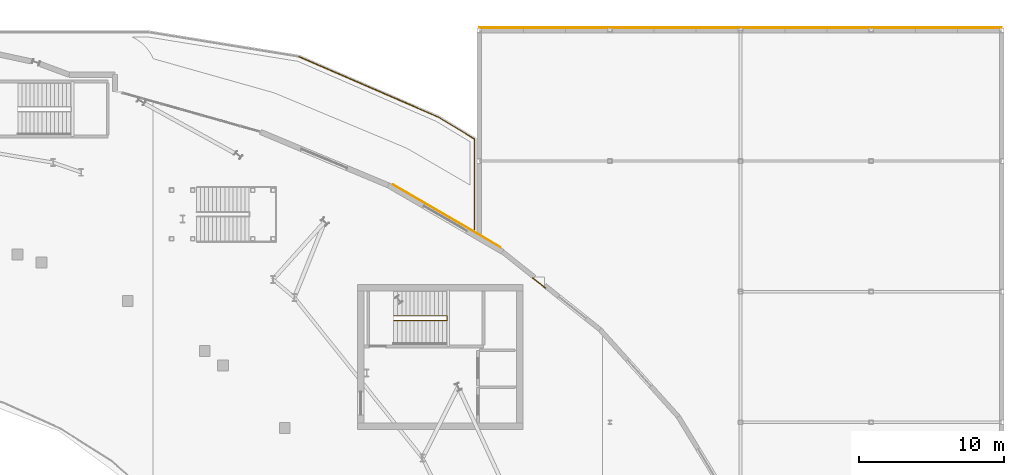
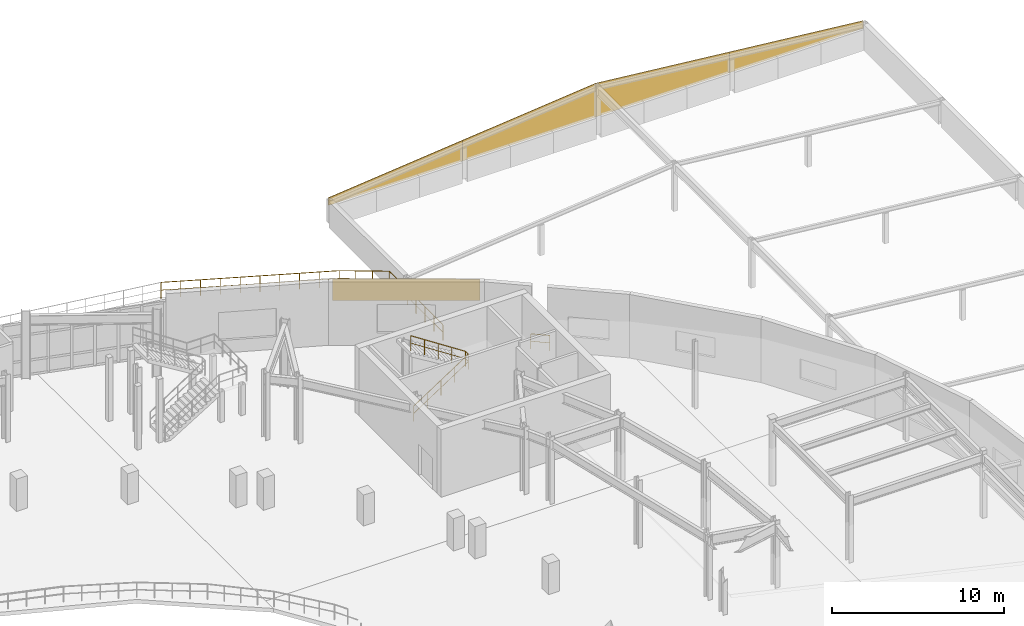
# One storey, part 84 of 84: 5 coverings, 5 railings.
"""IFC4 building model written with IfcOpenShell, lengths in metres."""

from ifc_helpers import new_model, si_unit, direction, frame, origin, origin_2d, place, context, subcontext, project, spatial, polyline, rectangle, circle, outline, extrude, material, layer, layer_set, type_object, element, save


model = new_model("IFC4")

# Units and contexts
model_context = context("Model", 3, precision=1e-05, world=origin(), true_north=direction((0.0, 1.0)))
body_context = subcontext(model_context, "Body", "Model", "MODEL_VIEW")
ifc_project = project(units=[si_unit("LENGTHUNIT", "METRE"), si_unit("AREAUNIT", "SQUARE_METRE"), si_unit("VOLUMEUNIT", "CUBIC_METRE"), si_unit("PLANEANGLEUNIT", "RADIAN"), si_unit("MASSUNIT", "GRAM", prefix="KILO")], contexts=[model_context])

# Site, building, storey
site_placement = place(None, origin())
site = spatial("IfcSite", under=ifc_project, at=site_placement, CompositionType="ELEMENT")
building_placement = place(site_placement, origin())
building = spatial("IfcBuilding", under=site, at=building_placement, Name="Glasvene Arena", CompositionType="ELEMENT")
storey_placement = place(building_placement, frame((0.0, 0.0, 10.199951171875)))
storey = spatial("IfcBuildingStorey", under=building, at=storey_placement, Name="L02", CompositionType="ELEMENT", Elevation=10.199951171875)

# Coverings
ifc_material_1 = material(Name="Coursed pale Irish limestone", Category="masonry")
ifc_layer = layer(ifc_material_1, 0.050048828125)
ifc_layer_set = layer_set([ifc_layer], Name="Coursed pale Irish limestone")
covering_type = type_object("IfcCoveringType", Name="COV-CLAD-LIM", PredefinedType="CLADDING", material=ifc_layer_set)
covering_1_placement = place(storey_placement, frame((135.76708984375, 105.2099609375, 2.949951171875), z_axis=(0.0, 0.0, 1.0), x_axis=(0.864274801954, -0.50301994663, 0.0)))
element("IfcCovering", 1, at=covering_1_placement, inside=storey, type_object=covering_type, Name="Irish limestone spandrel cladding EW-L02-0140", PredefinedType="CLADDING", context=body_context, shape_type="SweptSolid", body=[
    extrude(rectangle(XDim=8.59765625, YDim=0.050048828125, at=origin_2d()), origin(), (0.0, 0.0, 1.0), 1.52001953125),
])
covering_2_placement = place(storey_placement, frame((138.0, 118.2080078125, 1.06005859375), z_axis=(0.0, 1.0, 0.0), x_axis=(0.0, 0.0, 1.0)))
element("IfcCovering", 2, at=covering_2_placement, inside=storey, type_object=covering_type, Name="Wing gable architectural fascia cladding V5-003", PredefinedType="CLADDING", context=body_context, shape_type="SweptSolid", body=[
    extrude(outline(polyline([(0.0, 0.0), (0.528076171875, 0.0), (1.452880859375, 9.0), (0.0, 9.0), (0.0, 0.0)])), origin(), (0.0, 0.0, -1.0), 0.050048828125),
])
covering_3_placement = place(storey_placement, frame((147.0, 118.2080078125, 1.06005859375), z_axis=(0.0, 1.0, 0.0), x_axis=(0.0, 0.0, 1.0)))
element("IfcCovering", 3, at=covering_3_placement, inside=storey, type_object=covering_type, Name="Wing gable architectural fascia cladding V5-004", PredefinedType="CLADDING", context=body_context, shape_type="SweptSolid", body=[
    extrude(outline(polyline([(0.0, 0.0), (1.452880859375, 0.0), (2.3779296875, 9.0), (0.0, 9.0), (0.0, 0.0)])), origin(), (0.0, 0.0, -1.0), 0.050048828125),
])
covering_4_placement = place(storey_placement, frame((156.0, 118.2080078125, 1.06005859375), z_axis=(0.0, 1.0, 0.0), x_axis=(0.0, 0.0, 1.0)))
element("IfcCovering", 4, at=covering_4_placement, inside=storey, type_object=covering_type, Name="Wing gable architectural fascia cladding V5-005", PredefinedType="CLADDING", context=body_context, shape_type="SweptSolid", body=[
    extrude(outline(polyline([(0.0, 0.0), (2.3779296875, 0.0), (1.452880859375, 9.0), (0.0, 9.0), (0.0, 0.0)])), origin(), (0.0, 0.0, -1.0), 0.050048828125),
])
covering_5_placement = place(storey_placement, frame((165.0, 118.2080078125, 1.06005859375), z_axis=(0.0, 1.0, 0.0), x_axis=(0.0, 0.0, 1.0)))
element("IfcCovering", 5, at=covering_5_placement, inside=storey, type_object=covering_type, Name="Wing gable architectural fascia cladding V5-006", PredefinedType="CLADDING", context=body_context, shape_type="SweptSolid", body=[
    extrude(outline(polyline([(0.0, 0.0), (1.452880859375, 0.0), (0.528076171875, 9.0), (0.0, 9.0), (0.0, 0.0)])), origin(), (0.0, 0.0, -1.0), 0.050048828125),
])

# Railings
ifc_material_2 = material(Name="Brushed stainless steel", Category="steel")
railing_type_1 = type_object("IfcRailingType", Name="RL-GUARD-1100", PredefinedType="GUARDRAIL", material=ifc_material_2)
railing_1_placement = place(storey_placement, frame((132.10009765625, 98.010009765625, 0.0)))
element("IfcRailing", 6, at=railing_1_placement, inside=storey, type_object=railing_type_1, Name="Stair inner well continuous guardrail ST-02-L02", PredefinedType="GUARDRAIL", context=body_context, shape_type="SweptSolid", body=[
    extrude(circle(Radius=0.02392578125, at=origin_2d()), frame((0.0, 0.0, 1.076171875), z_axis=(0.837590697589, 0.0, 0.546298291515), x_axis=(0.0, 1.0, 0.0)), (0.0, 0.0, 1.0), 4.3935546875),
    extrude(circle(Radius=0.01611328125, at=origin_2d()), frame((0.0, 0.0, 0.550048828125), z_axis=(0.837590697589, 0.0, 0.546298291515), x_axis=(0.0, 1.0, 0.0)), (0.0, 0.0, 1.0), 4.3935546875),
    extrude(circle(Radius=0.02392578125, at=origin_2d()), frame((3.679931640625, 0.0, 3.47607421875), z_axis=(0.0, 1.0, 0.0), x_axis=(-1.0, 0.0, 0.0)), (0.0, 0.0, 1.0), 0.330078125),
    extrude(circle(Radius=0.01611328125, at=origin_2d()), frame((3.679931640625, 0.0, 2.9501953125), z_axis=(0.0, 1.0, 0.0), x_axis=(-1.0, 0.0, 0.0)), (0.0, 0.0, 1.0), 0.330078125),
    extrude(circle(Radius=0.02392578125, at=origin_2d()), frame((3.679931640625, 0.330078125, 3.47607421875), z_axis=(-0.837616124378, 0.0, 0.546259304892), x_axis=(0.0, -1.0, 0.0)), (0.0, 0.0, 1.0), 4.393310546875),
    extrude(circle(Radius=0.01611328125, at=origin_2d()), frame((3.679931640625, 0.330078125, 2.9501953125), z_axis=(-0.837616124378, 0.0, 0.546259304892), x_axis=(0.0, -1.0, 0.0)), (0.0, 0.0, 1.0), 4.393310546875),
    extrude(circle(Radius=0.02099609375, at=origin_2d()), origin(), (0.0, 0.0, 1.0), 1.052001953125),
    extrude(circle(Radius=0.02099609375, at=origin_2d()), frame((0.919921875, 0.0, 0.60009765625)), (0.0, 0.0, 1.0), 1.052001953125),
    extrude(circle(Radius=0.02099609375, at=origin_2d()), frame((1.83984375, 0.0, 1.2001953125)), (0.0, 0.0, 1.0), 1.052001953125),
    extrude(circle(Radius=0.02099609375, at=origin_2d()), frame((2.760009765625, 0.0, 1.800048828125)), (0.0, 0.0, 1.0), 1.052001953125),
    extrude(circle(Radius=0.02099609375, at=origin_2d()), frame((3.679931640625, 0.0, 2.400146484375)), (0.0, 0.0, 1.0), 1.052001953125),
    extrude(circle(Radius=0.02099609375, at=origin_2d()), frame((3.679931640625, 0.330078125, 2.400146484375)), (0.0, 0.0, 1.0), 1.052001953125),
    extrude(circle(Radius=0.02099609375, at=origin_2d()), frame((2.760009765625, 0.330078125, 3.0)), (0.0, 0.0, 1.0), 1.052001953125),
    extrude(circle(Radius=0.02099609375, at=origin_2d()), frame((1.83984375, 0.330078125, 3.60009765625)), (0.0, 0.0, 1.0), 1.052001953125),
    extrude(circle(Radius=0.02099609375, at=origin_2d()), frame((0.919921875, 0.330078125, 4.2001953125)), (0.0, 0.0, 1.0), 1.052001953125),
    extrude(circle(Radius=0.02099609375, at=origin_2d()), frame((0.0, 0.330078125, 4.800048828125)), (0.0, 0.0, 1.0), 1.052001953125),
])
railing_2_placement = place(storey_placement, frame((141.679931640625, 100.949951171875, 0.0)))
element("IfcRailing", 7, at=railing_2_placement, inside=storey, type_object=railing_type_1, Name="Safety guardrail GD-PIER-L02-NE-001", PredefinedType="GUARDRAIL", context=body_context, shape_type="SweptSolid", body=[
    extrude(circle(Radius=0.02392578125, at=origin_2d()), frame((0.0, 0.0, 1.076171875), z_axis=(0.779180953437, -0.626799044193, 0.0), x_axis=(0.626799044193, 0.779180953437, 0.0)), (0.0, 0.0, 1.0), 1.11669921875),
    extrude(circle(Radius=0.01611328125, at=origin_2d()), frame((0.0, 0.0, 0.550048828125), z_axis=(0.779180953437, -0.626799044193, 0.0), x_axis=(0.626799044193, 0.779180953437, 0.0)), (0.0, 0.0, 1.0), 1.11669921875),
    extrude(circle(Radius=0.02099609375, at=origin_2d()), origin(), (0.0, 0.0, 1.0), 1.052001953125),
    extrude(circle(Radius=0.02099609375, at=origin_2d()), frame((0.8701171875, -0.699951171875, 0.0)), (0.0, 0.0, 1.0), 1.052001953125),
])
ifc_material_3 = material(Name="Warm bronze architectural aluminium", Category="aluminium")
railing_type_2 = type_object("IfcRailingType", Name="RL-GUARD-EXT-1150", PredefinedType="GUARDRAIL", material=ifc_material_3)
railing_3_placement = place(storey_placement, frame((125.585205078125, 116.191650390625, 0.0)))
element("IfcRailing", 8, at=railing_3_placement, inside=storey, type_object=railing_type_2, Name="Safety guardrail GD-TER-L02-TR-L02-STEP1-2-01-003", PredefinedType="GUARDRAIL", context=body_context, shape_type="SweptSolid", body=[
    extrude(circle(Radius=0.02392578125, at=origin_2d()), frame((0.0, 0.0, 1.1259765625), z_axis=(0.917429782112, -0.397897719137, 0.0), x_axis=(0.397897719137, 0.917429782112, 0.0)), (0.0, 0.0, 1.0), 10.455322265625),
    extrude(circle(Radius=0.01611328125, at=origin_2d()), frame((0.0, 0.0, 0.574951171875), z_axis=(0.917429782112, -0.397897719137, 0.0), x_axis=(0.397897719137, 0.917429782112, 0.0)), (0.0, 0.0, 1.0), 10.455322265625),
    extrude(circle(Radius=0.02099609375, at=origin_2d()), origin(), (0.0, 0.0, 1.0), 1.101806640625),
    extrude(circle(Radius=0.02099609375, at=origin_2d()), frame((1.065673828125, -0.462158203125, 0.0)), (0.0, 0.0, 1.0), 1.101806640625),
    extrude(circle(Radius=0.02099609375, at=origin_2d()), frame((2.131591796875, -0.924560546875, 0.0)), (0.0, 0.0, 1.0), 1.101806640625),
    extrude(circle(Radius=0.02099609375, at=origin_2d()), frame((3.197265625, -1.38671875, 0.0)), (0.0, 0.0, 1.0), 1.101806640625),
    extrude(circle(Radius=0.02099609375, at=origin_2d()), frame((4.26318359375, -1.848876953125, 0.0)), (0.0, 0.0, 1.0), 1.101806640625),
    extrude(circle(Radius=0.02099609375, at=origin_2d()), frame((5.328857421875, -2.311279296875, 0.0)), (0.0, 0.0, 1.0), 1.101806640625),
    extrude(circle(Radius=0.02099609375, at=origin_2d()), frame((6.394775390625, -2.7734375, 0.0)), (0.0, 0.0, 1.0), 1.101806640625),
    extrude(circle(Radius=0.02099609375, at=origin_2d()), frame((7.46044921875, -3.235595703125, 0.0)), (0.0, 0.0, 1.0), 1.101806640625),
    extrude(circle(Radius=0.02099609375, at=origin_2d()), frame((8.5263671875, -3.697998046875, 0.0)), (0.0, 0.0, 1.0), 1.101806640625),
    extrude(circle(Radius=0.02099609375, at=origin_2d()), frame((9.592041015625, -4.16015625, 0.0)), (0.0, 0.0, 1.0), 1.101806640625),
])
railing_4_placement = place(storey_placement, frame((135.17724609375, 112.031494140625, 0.0)))
element("IfcRailing", 9, at=railing_4_placement, inside=storey, type_object=railing_type_2, Name="Safety guardrail GD-TER-L02-TR-L02-STEP1-2-01-004", PredefinedType="GUARDRAIL", context=body_context, shape_type="SweptSolid", body=[
    extrude(circle(Radius=0.02392578125, at=origin_2d()), frame((0.0, 0.0, 1.1259765625), z_axis=(0.855816218826, -0.517280001155, 0.0), x_axis=(0.517280001155, 0.855816218826, 0.0)), (0.0, 0.0, 1.0), 2.92431640625),
    extrude(circle(Radius=0.01611328125, at=origin_2d()), frame((0.0, 0.0, 0.574951171875), z_axis=(0.855816218826, -0.517280001155, 0.0), x_axis=(0.517280001155, 0.855816218826, 0.0)), (0.0, 0.0, 1.0), 2.92431640625),
    extrude(circle(Radius=0.02099609375, at=origin_2d()), origin(), (0.0, 0.0, 1.0), 1.101806640625),
    extrude(circle(Radius=0.02099609375, at=origin_2d()), frame((0.834228515625, -0.504150390625, 0.0)), (0.0, 0.0, 1.0), 1.101806640625),
    extrude(circle(Radius=0.02099609375, at=origin_2d()), frame((1.66845703125, -1.008544921875, 0.0)), (0.0, 0.0, 1.0), 1.101806640625),
    extrude(circle(Radius=0.02099609375, at=origin_2d()), frame((2.502685546875, -1.5126953125, 0.0)), (0.0, 0.0, 1.0), 1.101806640625),
])
railing_5_placement = place(storey_placement, frame((137.679931640625, 110.518798828125, 0.0)))
element("IfcRailing", 10, at=railing_5_placement, inside=storey, type_object=railing_type_2, Name="Safety guardrail GD-TER-L02-TR-L02-STEP1-2-01-005", PredefinedType="GUARDRAIL", context=body_context, shape_type="SweptSolid", body=[
    extrude(circle(Radius=0.02392578125, at=origin_2d()), frame((0.0, 0.0, 1.1259765625), z_axis=(0.0, -1.0, 0.0), x_axis=(1.0, 0.0, 0.0)), (0.0, 0.0, 1.0), 6.24853515625),
    extrude(circle(Radius=0.01611328125, at=origin_2d()), frame((0.0, 0.0, 0.574951171875), z_axis=(0.0, -1.0, 0.0), x_axis=(1.0, 0.0, 0.0)), (0.0, 0.0, 1.0), 6.24853515625),
    extrude(circle(Radius=0.02099609375, at=origin_2d()), origin(), (0.0, 0.0, 1.0), 1.101806640625),
    extrude(circle(Radius=0.02099609375, at=origin_2d()), frame((0.0, -1.04150390625, 0.0)), (0.0, 0.0, 1.0), 1.101806640625),
    extrude(circle(Radius=0.02099609375, at=origin_2d()), frame((0.0, -2.082763671875, 0.0)), (0.0, 0.0, 1.0), 1.101806640625),
    extrude(circle(Radius=0.02099609375, at=origin_2d()), frame((0.0, -3.124267578125, 0.0)), (0.0, 0.0, 1.0), 1.101806640625),
    extrude(circle(Radius=0.02099609375, at=origin_2d()), frame((0.0, -4.165771484375, 0.0)), (0.0, 0.0, 1.0), 1.101806640625),
    extrude(circle(Radius=0.02099609375, at=origin_2d()), frame((0.0, -5.20703125, 0.0)), (0.0, 0.0, 1.0), 1.101806640625),
    extrude(circle(Radius=0.02099609375, at=origin_2d()), frame((0.0, -6.24853515625, 0.0)), (0.0, 0.0, 1.0), 1.101806640625),
])

save(model, "model.ifc")
